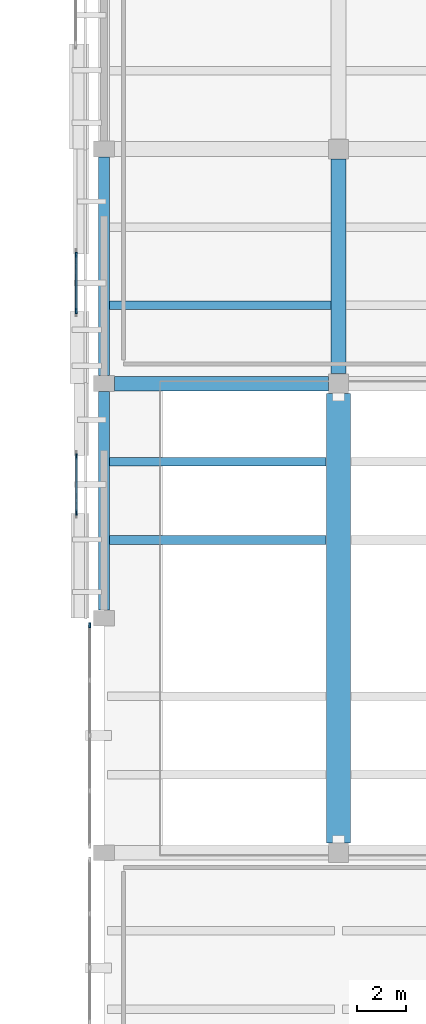
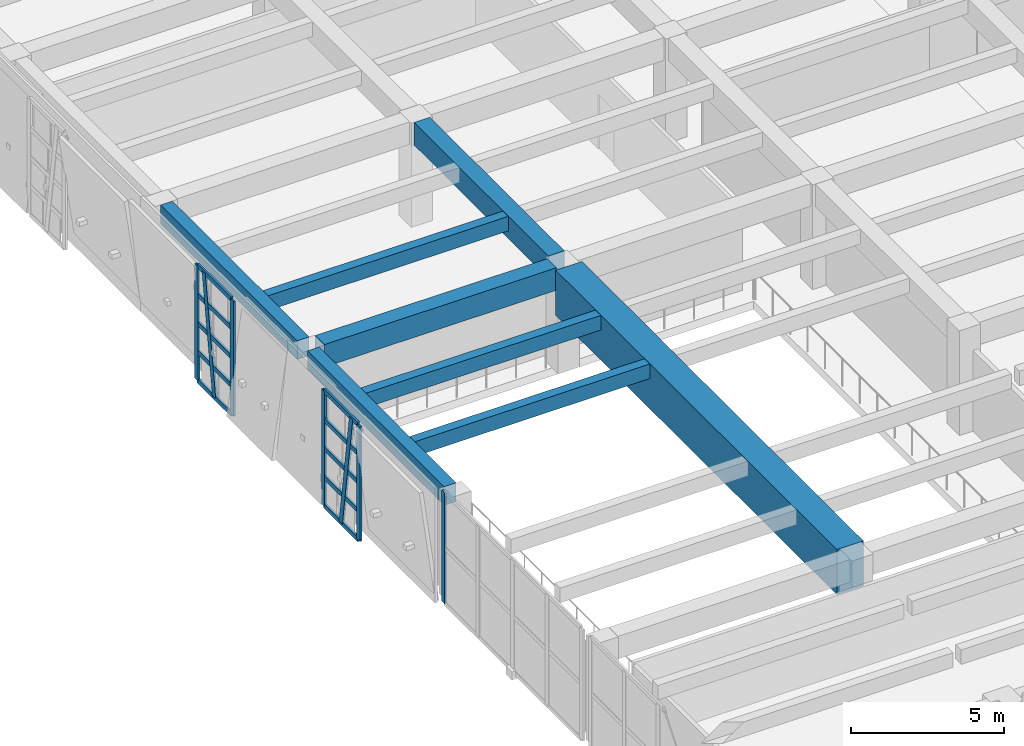
# One storey, part 8 of 49: 17 members, 8 beams, 3 elements without a shape of their own.
"""IFC4 building model written with IfcOpenShell, lengths in metres."""

from ifc_helpers import new_model, si_unit, direction, frame, origin, origin_2d, place, context, subcontext, project, spatial, rectangle, extrude, material, layer, layer_set, material_profile, profile_set, type_object, element, aggregate, save


model = new_model("IFC4")

# Units and contexts
model_context = context("Model", 3, precision=1e-05, world=origin(), true_north=direction((0.0, 1.0)))
body_context = subcontext(model_context, "Body", "Model", "MODEL_VIEW")
ifc_project = project(units=[si_unit("LENGTHUNIT", "METRE"), si_unit("AREAUNIT", "SQUARE_METRE"), si_unit("VOLUMEUNIT", "CUBIC_METRE"), si_unit("PLANEANGLEUNIT", "RADIAN"), si_unit("MASSUNIT", "GRAM", prefix="KILO")], contexts=[model_context])

# Site, building, storey
site_placement = place(None, origin())
site = spatial("IfcSite", under=ifc_project, at=site_placement, CompositionType="ELEMENT")
building_placement = place(site_placement, origin())
building = spatial("IfcBuilding", under=site, at=building_placement, Name="Bempovik Park Faculty of Sciences", CompositionType="ELEMENT")
storey_placement = place(building_placement, frame((0.0, 0.0, 5.39990234375)))
storey = spatial("IfcBuildingStorey", under=building, at=storey_placement, Name="L01", CompositionType="ELEMENT", Elevation=5.39990234375)

# Beams
ifc_material_1 = material(Name="Concrete C40/50", Category="concrete")
ifc_material_profile_1 = material_profile(ifc_material_1, rectangle(XDim=1.0, YDim=1.800048828125, at=origin_2d()), Name="RC 1000x1800")
ifc_profile_set_1 = profile_set([ifc_material_profile_1], Name="Concrete C40/50")
beam_type_1 = type_object("IfcBeamType", Name="B-033 RC 1000x1800", PredefinedType="USERDEFINED", material=ifc_profile_set_1)
beam_1_placement = place(storey_placement, frame((69.60009765625, 29.805908203125, 3.280029296875), z_axis=(0.0, 1.0, 0.0), x_axis=(-1.0, 0.0, 0.0)))
element("IfcBeam", 1, at=beam_1_placement, inside=storey, type_object=beam_type_1, Name="Lecture Hall Clear-Span Transfer Girder TG-L02-W", ObjectType="TRANSFER GIRDER", PredefinedType="USERDEFINED", context=body_context, shape_type="SweptSolid", body=[
    extrude(rectangle(XDim=1.0, YDim=1.800048828125, at=origin_2d()), origin(), (0.0, 0.0, 1.0), 18.38818359375),
])
ifc_material_2 = material(Name="Concrete C35/45", Category="concrete")
ifc_material_profile_2 = material_profile(ifc_material_2, rectangle(XDim=0.35009765625, YDim=0.580078125, at=origin_2d()), Name="RC 350x580")
ifc_profile_set_2 = profile_set([ifc_material_profile_2], Name="Concrete C35/45")
beam_type_2 = type_object("IfcBeamType", Name="B-107 RC 350x580", PredefinedType="JOIST", material=ifc_profile_set_2)
for number, where, z_axis, x_axis, name in (
    (2, (60.23095703125, 42.199951171875, 3.89013671875), (1.0, 0.0, 0.0), (0.0, 1.0, 0.0), "L01 Secondary Joist (60.0-69.6, y=42.20)"),
    (3, (60.23095703125, 45.39990234375, 3.89013671875), (1.0, 0.0, 0.0), (0.0, 1.0, 0.0), "L01 Secondary Joist (60.0-69.6, y=45.40)"),
):
    element("IfcBeam", number, at=place(storey_placement, frame(where, z_axis=z_axis, x_axis=x_axis)), inside=storey, type_object=beam_type_2, Name=name, PredefinedType="JOIST", context=body_context, shape_type="SweptSolid", body=[
        extrude(rectangle(XDim=0.35009765625, YDim=0.580078125, at=origin_2d()), origin(), (0.0, 0.0, 1.0), 8.863037109375),
    ])
beam_2_placement = place(storey_placement, frame((60.23095703125, 51.800048828125, 3.89013671875), z_axis=(1.0, 0.0, 0.0), x_axis=(0.0, 1.0, 0.0)))
element("IfcBeam", 4, at=beam_2_placement, inside=storey, type_object=beam_type_2, Name="L01 Secondary Joist (60.0-69.6, y=51.80)", PredefinedType="JOIST", context=body_context, shape_type="SweptSolid", body=[
    extrude(rectangle(XDim=0.35009765625, YDim=0.580078125, at=origin_2d()), origin(), (0.0, 0.0, 1.0), 9.06298828125),
])
ifc_material_profile_3 = material_profile(ifc_material_1, rectangle(XDim=0.60009765625, YDim=0.89990234375, at=origin_2d()), Name="RC 600x900")
ifc_profile_set_3 = profile_set([ifc_material_profile_3], Name="Concrete C40/50")
beam_type_3 = type_object("IfcBeamType", Name="B-115 RC 600x900", PredefinedType="BEAM", material=ifc_profile_set_3)
beam_3_placement = place(storey_placement, frame((60.430908203125, 48.60009765625, 3.72998046875), z_axis=(1.0, 0.0, 0.0), x_axis=(0.0, 1.0, 0.0)))
element("IfcBeam", 5, at=beam_3_placement, inside=storey, type_object=beam_type_3, Name="L01 Beam X (60.0-69.6, y=48.6)", PredefinedType="BEAM", context=body_context, shape_type="SweptSolid", body=[
    extrude(rectangle(XDim=0.60009765625, YDim=0.89990234375, at=origin_2d()), origin(), (0.0, 0.0, 1.0), 8.76318359375),
])
beam_4_placement = place(storey_placement, frame((69.60009765625, 49.006103515625, 3.72998046875), z_axis=(0.0, 1.0, 0.0), x_axis=(-1.0, 0.0, 0.0)))
element("IfcBeam", 6, at=beam_4_placement, inside=storey, type_object=beam_type_3, Name="L01 Beam Y (x=69.6, 48.6-58.2)", PredefinedType="BEAM", context=body_context, shape_type="SweptSolid", body=[
    extrude(rectangle(XDim=0.60009765625, YDim=0.89990234375, at=origin_2d()), origin(), (0.0, 0.0, 1.0), 8.787841796875),
])
ifc_material_profile_4 = material_profile(ifc_material_1, rectangle(XDim=0.449951171875, YDim=0.75, at=origin_2d()), Name="RC 450x750")
ifc_profile_set_4 = profile_set([ifc_material_profile_4], Name="Concrete C40/50")
beam_type_4 = type_object("IfcBeamType", Name="B-130 RC 450x750", PredefinedType="SPANDREL", material=ifc_profile_set_4)
for number, where, z_axis, x_axis, name in (
    (7, (60.0, 39.3310546875, 3.80517578125), (0.0, 1.0, 0.0), (-1.0, 0.0, 0.0), "L01 Beam Y (x=60.0, 39.0-48.6)"),
    (8, (60.0, 48.930908203125, 3.80517578125), (0.0, 1.0, 0.0), (-1.0, 0.0, 0.0), "L01 Beam Y (x=60.0, 48.6-58.2)"),
):
    element("IfcBeam", number, at=place(storey_placement, frame(where, z_axis=z_axis, x_axis=x_axis)), inside=storey, type_object=beam_type_4, Name=name, PredefinedType="SPANDREL", context=body_context, shape_type="SweptSolid", body=[
        extrude(rectangle(XDim=0.449951171875, YDim=0.75, at=origin_2d()), origin(), (0.0, 0.0, 1.0), 8.93798828125),
    ])

# Curtain wall, member
ifc_material_3 = material(Name="Tempered laminated low-E glass", Category="glass")
ifc_layer_1 = layer(ifc_material_3, 0.159912109375)
ifc_layer_set_1 = layer_set([ifc_layer_1], Name="Tempered laminated low-E glass")
curtain_wall_type_1 = type_object("IfcCurtainWallType", Name="CW-48 Curtain 7200x4200", PredefinedType="USERDEFINED", material=ifc_layer_set_1)
curtain_wall_1_placement = place(storey_placement, origin())
curtain_wall_1 = element("IfcCurtainWall", 9, at=curtain_wall_1_placement, inside=storey, type_object=curtain_wall_type_1, Name="L01 Recessed Entrance Foyer Curtain Wall (29.4-39.0)", ObjectType="UNITISED CURTAIN WALL", PredefinedType="USERDEFINED")
ifc_material_4 = material(Name="Anodised architectural bronze", Category="aluminium")
ifc_material_profile_5 = material_profile(ifc_material_4, rectangle(XDim=0.074951171875, YDim=0.199951171875, at=origin_2d()), Name="ALU-M 75x200")
ifc_profile_set_5 = profile_set([ifc_material_profile_5], Name="Anodised architectural bronze")
member_type_1 = type_object("IfcMemberType", Name="ML-17 ALU-M 75x200", PredefinedType="MULLION", material=ifc_profile_set_5)
member_1_placement = place(storey_placement, frame((59.419921875, 38.712890625, 0.080078125), z_axis=(0.0, 0.0, 1.0), x_axis=(1.0, 0.0, 0.0)))
member_1 = element("IfcMember", 10, at=member_1_placement, type_object=member_type_1, Name="CW-FOY-L01-600-294 Mullion 4", PredefinedType="MULLION", context=body_context, shape_type="SweptSolid", body=[
    extrude(rectangle(XDim=0.074951171875, YDim=0.199951171875, at=origin_2d()), origin(), (0.0, 0.0, 1.0), 4.419921875),
])
aggregate(curtain_wall_1, [member_1])

# Curtain wall, members
ifc_layer_2 = layer(ifc_material_3, 0.159912109375)
ifc_layer_set_2 = layer_set([ifc_layer_2], Name="Tempered laminated low-E glass")
curtain_wall_type_2 = type_object("IfcCurtainWallType", Name="CW-59 Curtain 2400x4500", PredefinedType="USERDEFINED", material=ifc_layer_set_2)
curtain_wall_2_placement = place(storey_placement, origin())
curtain_wall_2 = element("IfcCurtainWall", 11, at=curtain_wall_2_placement, inside=storey, type_object=curtain_wall_type_2, Name="L01 Crystal Slantwise Light Fold (60.0,39.0)", ObjectType="UNITISED CURTAIN WALL", PredefinedType="USERDEFINED")
ifc_material_profile_6 = material_profile(ifc_material_4, rectangle(XDim=0.080078125, YDim=0.219970703125, at=origin_2d()), Name="ALU-M 80x220")
ifc_profile_set_6 = profile_set([ifc_material_profile_6], Name="Anodised architectural bronze")
member_type_2 = type_object("IfcMemberType", Name="ML-29 ALU-M 80x220", PredefinedType="MULLION", material=ifc_profile_set_6)
member_2_placement = place(storey_placement, frame((58.877197265625, 43.324951171875, -0.039794921875), z_axis=(0.0, 0.0, 1.0), x_axis=(1.0, 0.0, 0.0)))
member_2 = element("IfcMember", 12, at=member_2_placement, type_object=member_type_2, Name="CW-FOLD-L01-600-390 Mullion 0", PredefinedType="MULLION", context=body_context, shape_type="SweptSolid", body=[
    extrude(rectangle(XDim=0.080078125, YDim=0.219970703125, at=origin_2d()), origin(), (0.0, 0.0, 1.0), 4.579833984375),
])
member_3_placement = place(storey_placement, frame((58.877197265625, 44.47509765625, -0.039794921875), z_axis=(0.0, -0.146904097302, 0.989150739875), x_axis=(1.0, 0.0, 0.0)))
member_3 = element("IfcMember", 13, at=member_3_placement, type_object=member_type_2, Name="CW-FOLD-L01-600-390 Mullion 1", PredefinedType="MULLION", context=body_context, shape_type="SweptSolid", body=[
    extrude(rectangle(XDim=0.080078125, YDim=0.219970703125, at=origin_2d()), origin(), (0.0, 0.0, 1.0), 4.630126953125),
])
member_4_placement = place(storey_placement, frame((58.877197265625, 45.625, -0.039794921875), z_axis=(0.0, 0.0, 1.0), x_axis=(1.0, 0.0, 0.0)))
member_4 = element("IfcMember", 14, at=member_4_placement, type_object=member_type_2, Name="CW-FOLD-L01-600-390 Mullion 2", PredefinedType="MULLION", context=body_context, shape_type="SweptSolid", body=[
    extrude(rectangle(XDim=0.080078125, YDim=0.219970703125, at=origin_2d()), origin(), (0.0, 0.0, 1.0), 4.579833984375),
])

curtain_wall_3_placement = place(storey_placement, origin())
curtain_wall_3 = element("IfcCurtainWall", 15, at=curtain_wall_3_placement, inside=storey, type_object=curtain_wall_type_2, Name="L01 Crystal Slantwise Light Fold (60.0,48.6)", ObjectType="UNITISED CURTAIN WALL", PredefinedType="USERDEFINED")
member_5_placement = place(storey_placement, frame((58.861328125, 51.574951171875, -0.039794921875), z_axis=(0.0, 0.0, 1.0), x_axis=(1.0, 0.0, 0.0)))
member_5 = element("IfcMember", 16, at=member_5_placement, type_object=member_type_2, Name="CW-FOLD-L01-600-486 Mullion 0", PredefinedType="MULLION", context=body_context, shape_type="SweptSolid", body=[
    extrude(rectangle(XDim=0.080078125, YDim=0.219970703125, at=origin_2d()), origin(), (0.0, 0.0, 1.0), 4.579833984375),
])
member_6_placement = place(storey_placement, frame((58.861328125, 52.72509765625, -0.039794921875), z_axis=(0.0, 0.14685250525, 0.989158400713), x_axis=(-1.0, 0.0, 0.0)))
member_6 = element("IfcMember", 17, at=member_6_placement, type_object=member_type_2, Name="CW-FOLD-L01-600-486 Mullion 1", PredefinedType="MULLION", context=body_context, shape_type="SweptSolid", body=[
    extrude(rectangle(XDim=0.080078125, YDim=0.219970703125, at=origin_2d()), origin(), (0.0, 0.0, 1.0), 4.630126953125),
])
member_7_placement = place(storey_placement, frame((58.861328125, 53.875, -0.039794921875), z_axis=(0.0, 0.0, 1.0), x_axis=(1.0, 0.0, 0.0)))
member_7 = element("IfcMember", 18, at=member_7_placement, type_object=member_type_2, Name="CW-FOLD-L01-600-486 Mullion 2", PredefinedType="MULLION", context=body_context, shape_type="SweptSolid", body=[
    extrude(rectangle(XDim=0.080078125, YDim=0.219970703125, at=origin_2d()), origin(), (0.0, 0.0, 1.0), 4.579833984375),
])

# Member
ifc_material_profile_7 = material_profile(ifc_material_4, rectangle(XDim=0.080078125, YDim=0.179931640625, at=origin_2d()), Name="ALU-T 80x180")
ifc_profile_set_7 = profile_set([ifc_material_profile_7], Name="Anodised architectural bronze")
member_type_3 = type_object("IfcMemberType", Name="TR-29 ALU-T 80x180", PredefinedType="USERDEFINED", material=ifc_profile_set_7)
member_8_placement = place(storey_placement, frame((58.877197265625, 43.364990234375, -0.039794921875), z_axis=(0.0, 1.0, 0.0), x_axis=(-1.0, 0.0, 0.0)))
member_8 = element("IfcMember", 19, at=member_8_placement, type_object=member_type_3, Name="CW-FOLD-L01-600-390 Transom 0", ObjectType="TRANSOM", PredefinedType="USERDEFINED", context=body_context, shape_type="SweptSolid", body=[
    extrude(rectangle(XDim=0.080078125, YDim=0.179931640625, at=origin_2d()), origin(), (0.0, 0.0, 1.0), 2.219970703125),
])

member_9_placement = place(storey_placement, frame((58.877197265625, 43.364990234375, 1.10498046875), z_axis=(0.0, 1.0, 0.0), x_axis=(-1.0, 0.0, 0.0)))
member_9 = element("IfcMember", 20, at=member_9_placement, type_object=member_type_3, Name="CW-FOLD-L01-600-390 Transom 1", ObjectType="TRANSOM", PredefinedType="USERDEFINED", context=body_context, shape_type="SweptSolid", body=[
    extrude(rectangle(XDim=0.080078125, YDim=0.179931640625, at=origin_2d()), origin(), (0.0, 0.0, 1.0), 2.219970703125),
])

member_10_placement = place(storey_placement, frame((58.877197265625, 43.364990234375, 2.25), z_axis=(0.0, 1.0, 0.0), x_axis=(-1.0, 0.0, 0.0)))
member_10 = element("IfcMember", 21, at=member_10_placement, type_object=member_type_3, Name="CW-FOLD-L01-600-390 Transom 2", ObjectType="TRANSOM", PredefinedType="USERDEFINED", context=body_context, shape_type="SweptSolid", body=[
    extrude(rectangle(XDim=0.080078125, YDim=0.179931640625, at=origin_2d()), origin(), (0.0, 0.0, 1.0), 2.219970703125),
])

member_11_placement = place(storey_placement, frame((58.877197265625, 43.364990234375, 3.39501953125), z_axis=(0.0, 1.0, 0.0), x_axis=(-1.0, 0.0, 0.0)))
member_11 = element("IfcMember", 22, at=member_11_placement, type_object=member_type_3, Name="CW-FOLD-L01-600-390 Transom 3", ObjectType="TRANSOM", PredefinedType="USERDEFINED", context=body_context, shape_type="SweptSolid", body=[
    extrude(rectangle(XDim=0.080078125, YDim=0.179931640625, at=origin_2d()), origin(), (0.0, 0.0, 1.0), 2.219970703125),
])

member_12_placement = place(storey_placement, frame((58.877197265625, 43.364990234375, 4.5400390625), z_axis=(0.0, 1.0, 0.0), x_axis=(-1.0, 0.0, 0.0)))
member_12 = element("IfcMember", 23, at=member_12_placement, type_object=member_type_3, Name="CW-FOLD-L01-600-390 Transom 4", ObjectType="TRANSOM", PredefinedType="USERDEFINED", context=body_context, shape_type="SweptSolid", body=[
    extrude(rectangle(XDim=0.080078125, YDim=0.179931640625, at=origin_2d()), origin(), (0.0, 0.0, 1.0), 2.219970703125),
])

aggregate(curtain_wall_2, [member_2, member_3, member_4, member_8, member_9, member_10, member_11, member_12])

member_13_placement = place(storey_placement, frame((58.861328125, 51.614990234375, -0.039794921875), z_axis=(0.0, 1.0, 0.0), x_axis=(-1.0, 0.0, 0.0)))
member_13 = element("IfcMember", 24, at=member_13_placement, type_object=member_type_3, Name="CW-FOLD-L01-600-486 Transom 0", ObjectType="TRANSOM", PredefinedType="USERDEFINED", context=body_context, shape_type="SweptSolid", body=[
    extrude(rectangle(XDim=0.080078125, YDim=0.179931640625, at=origin_2d()), origin(), (0.0, 0.0, 1.0), 2.219970703125),
])

member_14_placement = place(storey_placement, frame((58.861328125, 51.614990234375, 1.10498046875), z_axis=(0.0, 1.0, 0.0), x_axis=(-1.0, 0.0, 0.0)))
member_14 = element("IfcMember", 25, at=member_14_placement, type_object=member_type_3, Name="CW-FOLD-L01-600-486 Transom 1", ObjectType="TRANSOM", PredefinedType="USERDEFINED", context=body_context, shape_type="SweptSolid", body=[
    extrude(rectangle(XDim=0.080078125, YDim=0.179931640625, at=origin_2d()), origin(), (0.0, 0.0, 1.0), 2.219970703125),
])

member_15_placement = place(storey_placement, frame((58.861328125, 51.614990234375, 2.25), z_axis=(0.0, 1.0, 0.0), x_axis=(-1.0, 0.0, 0.0)))
member_15 = element("IfcMember", 26, at=member_15_placement, type_object=member_type_3, Name="CW-FOLD-L01-600-486 Transom 2", ObjectType="TRANSOM", PredefinedType="USERDEFINED", context=body_context, shape_type="SweptSolid", body=[
    extrude(rectangle(XDim=0.080078125, YDim=0.179931640625, at=origin_2d()), origin(), (0.0, 0.0, 1.0), 2.219970703125),
])

member_16_placement = place(storey_placement, frame((58.861328125, 51.614990234375, 3.39501953125), z_axis=(0.0, 1.0, 0.0), x_axis=(-1.0, 0.0, 0.0)))
member_16 = element("IfcMember", 27, at=member_16_placement, type_object=member_type_3, Name="CW-FOLD-L01-600-486 Transom 3", ObjectType="TRANSOM", PredefinedType="USERDEFINED", context=body_context, shape_type="SweptSolid", body=[
    extrude(rectangle(XDim=0.080078125, YDim=0.179931640625, at=origin_2d()), origin(), (0.0, 0.0, 1.0), 2.219970703125),
])

member_17_placement = place(storey_placement, frame((58.861328125, 51.614990234375, 4.5400390625), z_axis=(0.0, 1.0, 0.0), x_axis=(-1.0, 0.0, 0.0)))
member_17 = element("IfcMember", 28, at=member_17_placement, type_object=member_type_3, Name="CW-FOLD-L01-600-486 Transom 4", ObjectType="TRANSOM", PredefinedType="USERDEFINED", context=body_context, shape_type="SweptSolid", body=[
    extrude(rectangle(XDim=0.080078125, YDim=0.179931640625, at=origin_2d()), origin(), (0.0, 0.0, 1.0), 2.219970703125),
])

aggregate(curtain_wall_3, [member_5, member_6, member_7, member_13, member_14, member_15, member_16, member_17])

save(model, "model.ifc")
